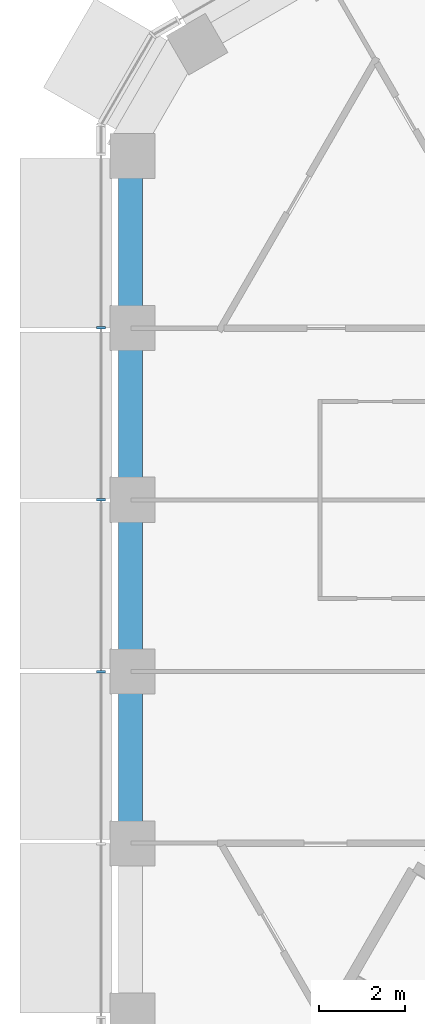
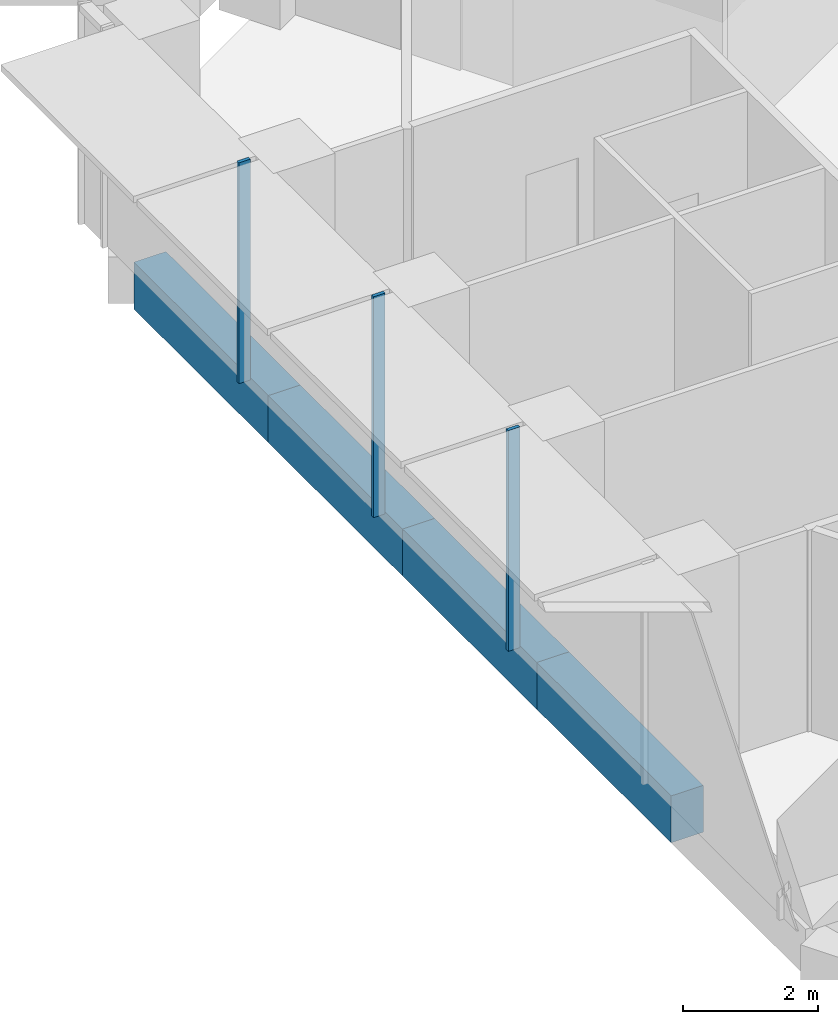
# One storey, part 3 of 24: 4 beams, 3 members, 1 element without a shape of its own.
"""IFC4 building model written with IfcOpenShell, lengths in metres."""

from ifc_helpers import new_model, si_unit, direction, frame, origin, origin_2d, place, context, subcontext, project, spatial, rectangle, extrude, material, layer, layer_set, material_profile, profile_set, type_object, element, aggregate, save


model = new_model("IFC4")

# Units and contexts
model_context = context("Model", 3, precision=1e-05, world=origin(), true_north=direction((0.0, 1.0)))
body_context = subcontext(model_context, "Body", "Model", "MODEL_VIEW")
ifc_project = project(units=[si_unit("LENGTHUNIT", "METRE"), si_unit("AREAUNIT", "SQUARE_METRE"), si_unit("VOLUMEUNIT", "CUBIC_METRE"), si_unit("PLANEANGLEUNIT", "RADIAN"), si_unit("MASSUNIT", "GRAM", prefix="KILO")], contexts=[model_context])

# Site, building, storey
site_placement = place(None, origin())
site = spatial("IfcSite", under=ifc_project, at=site_placement, CompositionType="ELEMENT")
building_placement = place(site_placement, origin())
building = spatial("IfcBuilding", under=site, at=building_placement, Name="Ayvan Gate Tower", CompositionType="ELEMENT")
storey_placement = place(building_placement, frame((0.0, 0.0, 128.5)))
storey = spatial("IfcBuildingStorey", under=building, at=storey_placement, Name="L34", CompositionType="ELEMENT", Elevation=128.5)

# Beams
ifc_material_1 = material(Name="Concrete C40/50", Category="concrete")
ifc_material_profile_1 = material_profile(ifc_material_1, rectangle(XDim=0.550048828125, YDim=0.85009765625, at=origin_2d()), Name="RC 550x850")
ifc_profile_set_1 = profile_set([ifc_material_profile_1], Name="Concrete C40/50")
beam_type = type_object("IfcBeamType", Name="Spandrel beam RC 550x850 C40/50", PredefinedType="BEAM", material=ifc_profile_set_1)
for number, where, z_axis, x_axis, name in (
    (1, (-18.70751953125, 9.967041015625, -0.824951171875), (0.0, -1.0, 0.0), (1.0, 0.0, 0.0), "SB-L34-19"),
    (2, (-18.70751953125, 5.980224609375, -0.824951171875), (0.0, -1.0, 0.0), (1.0, 0.0, 0.0), "SB-L34-20"),
    (3, (-18.70751953125, 1.993408203125, -0.824951171875), (0.0, -1.0, 0.0), (1.0, 0.0, 0.0), "SB-L34-21"),
    (4, (-18.70751953125, -1.993408203125, -0.824951171875), (0.0, -1.0, 0.0), (1.0, 0.0, 0.0), "SB-L34-22"),
):
    element("IfcBeam", number, at=place(storey_placement, frame(where, z_axis=z_axis, x_axis=x_axis)), inside=storey, type_object=beam_type, Name=name, PredefinedType="BEAM", context=body_context, shape_type="SweptSolid", body=[
        extrude(rectangle(XDim=0.550048828125, YDim=0.85009765625, at=origin_2d()), origin(), (0.0, 0.0, 1.0), 3.98681640625),
    ])

# Curtain wall, members
ifc_material_2 = material(Name="Bronze anodised aluminium", Category="aluminium")
ifc_layer = layer(ifc_material_2, 0.199951171875)
ifc_layer_set = layer_set([ifc_layer], Name="Bronze anodised aluminium")
curtain_wall_type = type_object("IfcCurtainWallType", Name="Stick curtain wall CW-1", PredefinedType="NOTDEFINED", material=ifc_layer_set)
curtain_wall_placement = place(storey_placement, origin())
curtain_wall = element("IfcCurtainWall", 5, at=curtain_wall_placement, inside=storey, type_object=curtain_wall_type, Name="Stick curtain wall CW-1 L34", PredefinedType="NOTDEFINED")
ifc_material_profile_2 = material_profile(ifc_material_2, rectangle(XDim=0.199951171875, YDim=0.06005859375, at=origin_2d()), Name="Stick curtain wall CW-1 mullion 200 x 60")
ifc_profile_set_2 = profile_set([ifc_material_profile_2], Name="Bronze anodised aluminium")
member_type = type_object("IfcMemberType", Name="Stick curtain wall CW-1 mullion 200 x 60", PredefinedType="MULLION", material=ifc_profile_set_2)
member_1_placement = place(storey_placement, frame((-19.39306640625, 5.99755859375, 0.0), z_axis=(0.0, 0.0, 1.0), x_axis=(-1.0, 0.0, 0.0)))
member_1 = element("IfcMember", 6, at=member_1_placement, type_object=member_type, Name="CW-1 mullion 2", PredefinedType="MULLION", context=body_context, shape_type="SweptSolid", body=[
    extrude(rectangle(XDim=0.199951171875, YDim=0.06005859375, at=origin_2d()), origin(), (0.0, 0.0, 1.0), 4.0),
])
member_2_placement = place(storey_placement, frame((-19.39306640625, 1.99853515625, 0.0), z_axis=(0.0, 0.0, 1.0), x_axis=(-1.0, 0.0, 0.0)))
member_2 = element("IfcMember", 7, at=member_2_placement, type_object=member_type, Name="CW-1 mullion 3", PredefinedType="MULLION", context=body_context, shape_type="SweptSolid", body=[
    extrude(rectangle(XDim=0.199951171875, YDim=0.06005859375, at=origin_2d()), origin(), (0.0, 0.0, 1.0), 4.0),
])
member_3_placement = place(storey_placement, frame((-19.39306640625, -1.999267578125, 0.0), z_axis=(0.0, 0.0, 1.0), x_axis=(-1.0, 0.0, 0.0)))
member_3 = element("IfcMember", 8, at=member_3_placement, type_object=member_type, Name="CW-1 mullion 4", PredefinedType="MULLION", context=body_context, shape_type="SweptSolid", body=[
    extrude(rectangle(XDim=0.199951171875, YDim=0.06005859375, at=origin_2d()), origin(), (0.0, 0.0, 1.0), 4.0),
])
aggregate(curtain_wall, [member_1, member_2, member_3])

save(model, "model.ifc")
